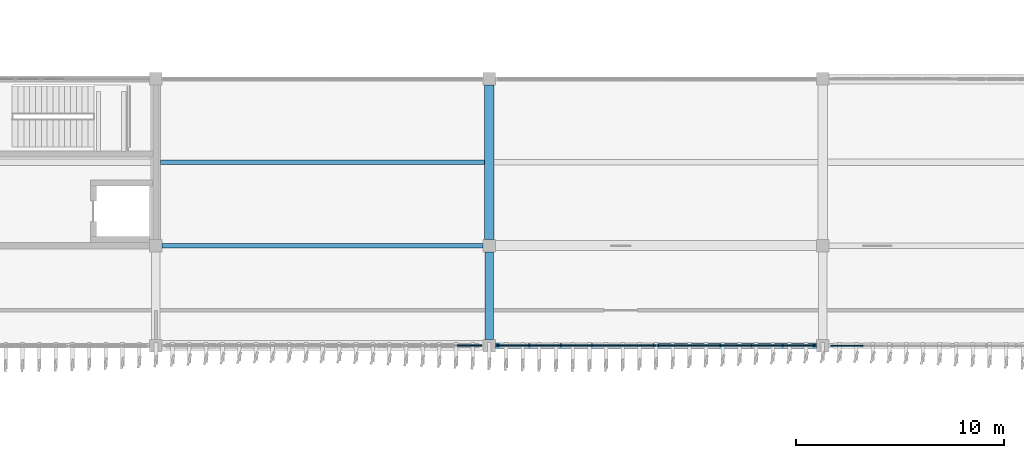
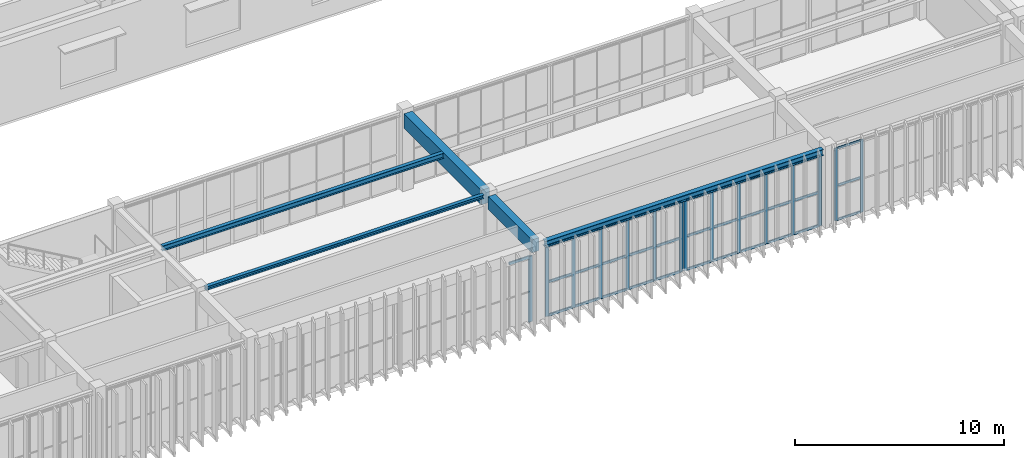
# One storey, part 16 of 64: 49 members, 5 beams, 4 elements without a shape of their own.
"""IFC4 building model written with IfcOpenShell, lengths in metres."""

from ifc_helpers import new_model, si_unit, direction, frame, origin, origin_2d, place, context, subcontext, project, spatial, rectangle, i_section, extrude, material, layer, layer_set, material_profile, profile_set, type_object, element, aggregate, save


model = new_model("IFC4")

# Units and contexts
model_context = context("Model", 3, precision=1e-05, world=origin(), true_north=direction((0.0, 1.0)))
body_context = subcontext(model_context, "Body", "Model", "MODEL_VIEW")
ifc_project = project(units=[si_unit("LENGTHUNIT", "METRE"), si_unit("AREAUNIT", "SQUARE_METRE"), si_unit("VOLUMEUNIT", "CUBIC_METRE"), si_unit("PLANEANGLEUNIT", "RADIAN"), si_unit("MASSUNIT", "GRAM", prefix="KILO")], contexts=[model_context])

# Site, building, storey
site_placement = place(None, origin())
site = spatial("IfcSite", under=ifc_project, at=site_placement, CompositionType="ELEMENT")
building_placement = place(site_placement, origin())
building = spatial("IfcBuilding", under=site, at=building_placement, Name="Cinchona Park Media Centre", CompositionType="ELEMENT")
storey_placement = place(building_placement, frame((0.0, 0.0, 5.39990234375)))
storey = spatial("IfcBuildingStorey", under=building, at=storey_placement, Name="L01", CompositionType="ELEMENT", Elevation=5.39990234375)

# Beams
ifc_material_1 = material(Name="Concrete C35/45", Category="concrete")
ifc_material_profile_1 = material_profile(ifc_material_1, rectangle(XDim=0.39990234375, YDim=0.75, at=origin_2d()), Name="RB 400X750")
ifc_profile_set_1 = profile_set([ifc_material_profile_1], Name="Concrete C35/45")
beam_type_1 = type_object("IfcBeamType", Name="BEAM-B01-RB400X750", PredefinedType="BEAM", material=ifc_profile_set_1)
beam_1_placement = place(storey_placement, frame((110.800048828125, 75.10009765625, 4.1650390625), z_axis=(0.0, 1.0, 0.0), x_axis=(-1.0, 0.0, 0.0)))
element("IfcBeam", 1, at=beam_1_placement, inside=storey, type_object=beam_type_1, Name="Girder B01 L01", PredefinedType="BEAM", context=body_context, shape_type="SweptSolid", body=[
    extrude(rectangle(XDim=0.39990234375, YDim=0.75, at=origin_2d()), origin(), (0.0, 0.0, 1.0), 4.199951171875),
])
ifc_material_2 = material(Name="Concrete C35/45", Category="concrete")
ifc_material_profile_2 = material_profile(ifc_material_2, rectangle(XDim=0.449951171875, YDim=0.85009765625, at=origin_2d()), Name="RB 450X850")
ifc_profile_set_2 = profile_set([ifc_material_profile_2], Name="Concrete C35/45")
beam_type_2 = type_object("IfcBeamType", Name="BEAM-B02-RB450X850", PredefinedType="BEAM", material=ifc_profile_set_2)
beam_2_placement = place(storey_placement, frame((110.800048828125, 79.89990234375, 4.114990234375), z_axis=(0.0, 1.0, 0.0), x_axis=(-1.0, 0.0, 0.0)))
element("IfcBeam", 2, at=beam_2_placement, inside=storey, type_object=beam_type_2, Name="Girder B02 L01", PredefinedType="BEAM", context=body_context, shape_type="SweptSolid", body=[
    extrude(rectangle(XDim=0.449951171875, YDim=0.85009765625, at=origin_2d()), origin(), (0.0, 0.0, 1.0), 7.400146484375),
])
ifc_material_3 = material(Name="Steel S355", Category="steel")
ifc_material_profile_3 = material_profile(ifc_material_3, i_section(OverallWidth=0.257080078125, OverallDepth=0.363037109375, WebThickness=0.012939453125, FlangeThickness=0.021728515625, at=origin_2d()), Name="W360X122")
ifc_profile_set_3 = profile_set([ifc_material_profile_3], Name="Steel S355")
beam_type_3 = type_object("IfcBeamType", Name="BEAM-B08-W360X122", PredefinedType="BEAM", material=ifc_profile_set_3)
beam_3_placement = place(storey_placement, frame((111.10009765625, 74.800048828125, 4.358642578125), z_axis=(1.0, 0.0, 0.0), x_axis=(0.0, 1.0, 0.0)))
element("IfcBeam", 3, at=beam_3_placement, inside=storey, type_object=beam_type_3, Name="Beam B08 L01", PredefinedType="BEAM", context=body_context, shape_type="SweptSolid", body=[
    extrude(i_section(OverallWidth=0.257080078125, OverallDepth=0.363037109375, WebThickness=0.012939453125, FlangeThickness=0.021728515625, at=origin_2d()), origin(), (0.0, 0.0, 1.0), 15.39990234375),
])
ifc_material_4 = material(Name="Steel S355", Category="steel")
ifc_material_profile_4 = material_profile(ifc_material_4, i_section(OverallWidth=0.202880859375, OverallDepth=0.202880859375, WebThickness=0.007080078125, FlangeThickness=0.010986328125, at=origin_2d()), Name="W200X46")
ifc_profile_set_4 = profile_set([ifc_material_profile_4], Name="Steel S355")
beam_type_4 = type_object("IfcBeamType", Name="BEAM-B10-W200X46", PredefinedType="BEAM", material=ifc_profile_set_4)
beam_4_placement = place(storey_placement, frame((95.10009765625, 79.60009765625, 4.4384765625), z_axis=(1.0, 0.0, 0.0), x_axis=(0.0, 1.0, 0.0)))
element("IfcBeam", 4, at=beam_4_placement, inside=storey, type_object=beam_type_4, Name="Beam B10 L01", PredefinedType="BEAM", context=body_context, shape_type="SweptSolid", body=[
    extrude(i_section(OverallWidth=0.202880859375, OverallDepth=0.202880859375, WebThickness=0.007080078125, FlangeThickness=0.010986328125, at=origin_2d()), origin(), (0.0, 0.0, 1.0), 15.39990234375),
])
ifc_material_5 = material(Name="Steel S355", Category="steel")
ifc_material_profile_5 = material_profile(ifc_material_5, i_section(OverallWidth=0.202880859375, OverallDepth=0.302978515625, WebThickness=0.007568359375, FlangeThickness=0.01318359375, at=origin_2d()), Name="W310X60")
ifc_profile_set_5 = profile_set([ifc_material_profile_5], Name="Steel S355")
beam_type_5 = type_object("IfcBeamType", Name="BEAM-J03-W310X60", PredefinedType="JOIST", material=ifc_profile_set_5)
beam_5_placement = place(storey_placement, frame((95.02490234375, 83.60009765625, 4.388671875), z_axis=(1.0, 0.0, 0.0), x_axis=(0.0, 1.0, 0.0)))
element("IfcBeam", 5, at=beam_5_placement, inside=storey, type_object=beam_type_5, Name="Floor Joist J03 L01", PredefinedType="JOIST", context=body_context, shape_type="SweptSolid", body=[
    extrude(i_section(OverallWidth=0.202880859375, OverallDepth=0.302978515625, WebThickness=0.007568359375, FlangeThickness=0.01318359375, at=origin_2d()), origin(), (0.0, 0.0, 1.0), 15.550048828125),
])

# Curtain wall, members
ifc_material_6 = material(Name="Aluminium Curtain Wall Framing", Category="aluminium")
ifc_layer_1 = layer(ifc_material_6, 0.284912109375)
ifc_layer_set_1 = layer_set([ifc_layer_1], Name="Aluminium Curtain Wall Framing")
curtain_wall_type_1 = type_object("IfcCurtainWallType", Name="CW-CW08", PredefinedType="USERDEFINED", material=ifc_layer_set_1)
curtain_wall_1_placement = place(storey_placement, origin())
curtain_wall_1 = element("IfcCurtainWall", 6, at=curtain_wall_1_placement, inside=storey, type_object=curtain_wall_type_1, Name="Curtain Wall CW08 L01", ObjectType="UNITISED CURTAIN WALL", PredefinedType="USERDEFINED")
ifc_material_7 = material(Name="Anodised Aluminium Alloy 6063-T6", Category="aluminium")
ifc_material_profile_6 = material_profile(ifc_material_7, rectangle(XDim=0.06494140625, YDim=0.159912109375, at=origin_2d()), Name="MUL-65X160")
ifc_profile_set_6 = profile_set([ifc_material_profile_6], Name="Anodised Aluminium Alloy 6063-T6")
member_type_1 = type_object("IfcMemberType", Name="MULLION-MUL01", PredefinedType="MULLION", material=ifc_profile_set_6)
member_1_placement = place(storey_placement, frame((128.669921875, 74.800048828125, 0.050048828125), z_axis=(0.0, 0.0, 1.0), x_axis=(0.0, -1.0, 0.0)))
member_1 = element("IfcMember", 7, at=member_1_placement, type_object=member_type_1, Name="CW08 mullion 4", PredefinedType="MULLION", context=body_context, shape_type="SweptSolid", body=[
    extrude(rectangle(XDim=0.06494140625, YDim=0.159912109375, at=origin_2d()), origin(), (0.0, 0.0, 1.0), 4.238037109375),
])
member_2_placement = place(storey_placement, frame((127.25244140625, 74.800048828125, 0.050048828125), z_axis=(0.0, 0.0, 1.0), x_axis=(0.0, -1.0, 0.0)))
member_2 = element("IfcMember", 8, at=member_2_placement, type_object=member_type_1, Name="CW08 mullion 5", PredefinedType="MULLION", context=body_context, shape_type="SweptSolid", body=[
    extrude(rectangle(XDim=0.06494140625, YDim=0.159912109375, at=origin_2d()), origin(), (0.0, 0.0, 1.0), 4.238037109375),
])

ifc_material_8 = material(Name="Aluminium Curtain Wall Framing", Category="aluminium")
ifc_layer_2 = layer(ifc_material_8, 0.239990234375)
ifc_layer_set_2 = layer_set([ifc_layer_2], Name="Aluminium Curtain Wall Framing")
curtain_wall_type_2 = type_object("IfcCurtainWallType", Name="CW-CW05", PredefinedType="USERDEFINED", material=ifc_layer_set_2)
curtain_wall_2_placement = place(storey_placement, origin())
curtain_wall_2 = element("IfcCurtainWall", 9, at=curtain_wall_2_placement, inside=storey, type_object=curtain_wall_type_2, Name="Curtain Wall CW05 L01", ObjectType="UNITISED CURTAIN WALL", PredefinedType="USERDEFINED")
ifc_material_9 = material(Name="Anodised Aluminium Alloy 6063-T6", Category="aluminium")
ifc_material_profile_7 = material_profile(ifc_material_9, rectangle(XDim=0.070068359375, YDim=0.179931640625, at=origin_2d()), Name="MUL-70X180")
ifc_profile_set_7 = profile_set([ifc_material_profile_7], Name="Anodised Aluminium Alloy 6063-T6")
member_type_2 = type_object("IfcMemberType", Name="MULLION-MUL02", PredefinedType="MULLION", material=ifc_profile_set_7)
member_3_placement = place(storey_placement, frame((126.344970703125, 74.800048828125, 0.050048828125), z_axis=(0.0, 0.0, 1.0), x_axis=(0.0, -1.0, 0.0)))
member_3 = element("IfcMember", 10, at=member_3_placement, type_object=member_type_2, Name="CW05 mullion 1", PredefinedType="MULLION", context=body_context, shape_type="SweptSolid", body=[
    extrude(rectangle(XDim=0.070068359375, YDim=0.179931640625, at=origin_2d()), origin(), (0.0, 0.0, 1.0), 4.126953125),
])
member_4_placement = place(storey_placement, frame((124.8798828125, 74.800048828125, 0.050048828125), z_axis=(0.0, 0.0, 1.0), x_axis=(0.0, -1.0, 0.0)))
member_4 = element("IfcMember", 11, at=member_4_placement, type_object=member_type_2, Name="CW05 mullion 2", PredefinedType="MULLION", context=body_context, shape_type="SweptSolid", body=[
    extrude(rectangle(XDim=0.070068359375, YDim=0.179931640625, at=origin_2d()), origin(), (0.0, 0.0, 1.0), 4.126953125),
])
member_5_placement = place(storey_placement, frame((123.3798828125, 74.800048828125, 0.050048828125), z_axis=(0.0, 0.0, 1.0), x_axis=(0.0, -1.0, 0.0)))
member_5 = element("IfcMember", 12, at=member_5_placement, type_object=member_type_2, Name="CW05 mullion 3", PredefinedType="MULLION", context=body_context, shape_type="SweptSolid", body=[
    extrude(rectangle(XDim=0.070068359375, YDim=0.179931640625, at=origin_2d()), origin(), (0.0, 0.0, 1.0), 4.126953125),
])
member_6_placement = place(storey_placement, frame((121.8798828125, 74.800048828125, 0.050048828125), z_axis=(0.0, 0.0, 1.0), x_axis=(0.0, -1.0, 0.0)))
member_6 = element("IfcMember", 13, at=member_6_placement, type_object=member_type_2, Name="CW05 mullion 4", PredefinedType="MULLION", context=body_context, shape_type="SweptSolid", body=[
    extrude(rectangle(XDim=0.070068359375, YDim=0.179931640625, at=origin_2d()), origin(), (0.0, 0.0, 1.0), 4.126953125),
])
member_7_placement = place(storey_placement, frame((120.3798828125, 74.800048828125, 0.050048828125), z_axis=(0.0, 0.0, 1.0), x_axis=(0.0, -1.0, 0.0)))
member_7 = element("IfcMember", 14, at=member_7_placement, type_object=member_type_2, Name="CW05 mullion 5", PredefinedType="MULLION", context=body_context, shape_type="SweptSolid", body=[
    extrude(rectangle(XDim=0.070068359375, YDim=0.179931640625, at=origin_2d()), origin(), (0.0, 0.0, 1.0), 4.126953125),
])
member_8_placement = place(storey_placement, frame((118.9150390625, 74.800048828125, 0.050048828125), z_axis=(0.0, 0.0, 1.0), x_axis=(0.0, -1.0, 0.0)))
member_8 = element("IfcMember", 15, at=member_8_placement, type_object=member_type_2, Name="CW05 mullion 6", PredefinedType="MULLION", context=body_context, shape_type="SweptSolid", body=[
    extrude(rectangle(XDim=0.070068359375, YDim=0.179931640625, at=origin_2d()), origin(), (0.0, 0.0, 1.0), 4.126953125),
])

ifc_material_10 = material(Name="Aluminium Curtain Wall Framing", Category="aluminium")
ifc_layer_3 = layer(ifc_material_10, 0.2548828125)
ifc_layer_set_3 = layer_set([ifc_layer_3], Name="Aluminium Curtain Wall Framing")
curtain_wall_type_3 = type_object("IfcCurtainWallType", Name="CW-CW06", PredefinedType="USERDEFINED", material=ifc_layer_set_3)
curtain_wall_3_placement = place(storey_placement, origin())
curtain_wall_3 = element("IfcCurtainWall", 16, at=curtain_wall_3_placement, inside=storey, type_object=curtain_wall_type_3, Name="Curtain Wall CW06 L01", ObjectType="UNITISED CURTAIN WALL", PredefinedType="USERDEFINED")
member_9_placement = place(storey_placement, frame((118.68505859375, 74.800048828125, 0.050048828125), z_axis=(0.0, 0.0, 1.0), x_axis=(0.0, -1.0, 0.0)))
member_9 = element("IfcMember", 17, at=member_9_placement, type_object=member_type_2, Name="CW06 mullion 1", PredefinedType="MULLION", context=body_context, shape_type="SweptSolid", body=[
    extrude(rectangle(XDim=0.070068359375, YDim=0.179931640625, at=origin_2d()), origin(), (0.0, 0.0, 1.0), 4.126953125),
])
member_10_placement = place(storey_placement, frame((117.219970703125, 74.800048828125, 0.050048828125), z_axis=(0.0, 0.0, 1.0), x_axis=(0.0, -1.0, 0.0)))
member_10 = element("IfcMember", 18, at=member_10_placement, type_object=member_type_2, Name="CW06 mullion 2", PredefinedType="MULLION", context=body_context, shape_type="SweptSolid", body=[
    extrude(rectangle(XDim=0.070068359375, YDim=0.179931640625, at=origin_2d()), origin(), (0.0, 0.0, 1.0), 4.126953125),
])
member_11_placement = place(storey_placement, frame((115.719970703125, 74.800048828125, 0.050048828125), z_axis=(0.0, 0.0, 1.0), x_axis=(0.0, -1.0, 0.0)))
member_11 = element("IfcMember", 19, at=member_11_placement, type_object=member_type_2, Name="CW06 mullion 3", PredefinedType="MULLION", context=body_context, shape_type="SweptSolid", body=[
    extrude(rectangle(XDim=0.070068359375, YDim=0.179931640625, at=origin_2d()), origin(), (0.0, 0.0, 1.0), 4.126953125),
])
member_12_placement = place(storey_placement, frame((114.219970703125, 74.800048828125, 0.050048828125), z_axis=(0.0, 0.0, 1.0), x_axis=(0.0, -1.0, 0.0)))
member_12 = element("IfcMember", 20, at=member_12_placement, type_object=member_type_2, Name="CW06 mullion 4", PredefinedType="MULLION", context=body_context, shape_type="SweptSolid", body=[
    extrude(rectangle(XDim=0.070068359375, YDim=0.179931640625, at=origin_2d()), origin(), (0.0, 0.0, 1.0), 4.126953125),
])
member_13_placement = place(storey_placement, frame((112.719970703125, 74.800048828125, 0.050048828125), z_axis=(0.0, 0.0, 1.0), x_axis=(0.0, -1.0, 0.0)))
member_13 = element("IfcMember", 21, at=member_13_placement, type_object=member_type_2, Name="CW06 mullion 5", PredefinedType="MULLION", context=body_context, shape_type="SweptSolid", body=[
    extrude(rectangle(XDim=0.070068359375, YDim=0.179931640625, at=origin_2d()), origin(), (0.0, 0.0, 1.0), 4.126953125),
])
member_14_placement = place(storey_placement, frame((111.2548828125, 74.800048828125, 0.050048828125), z_axis=(0.0, 0.0, 1.0), x_axis=(0.0, -1.0, 0.0)))
member_14 = element("IfcMember", 22, at=member_14_placement, type_object=member_type_2, Name="CW06 mullion 6", PredefinedType="MULLION", context=body_context, shape_type="SweptSolid", body=[
    extrude(rectangle(XDim=0.070068359375, YDim=0.179931640625, at=origin_2d()), origin(), (0.0, 0.0, 1.0), 4.126953125),
])

# Curtain wall, member
ifc_material_11 = material(Name="Aluminium Curtain Wall Framing", Category="aluminium")
ifc_layer_4 = layer(ifc_material_11, 0.2099609375)
ifc_layer_set_4 = layer_set([ifc_layer_4], Name="Aluminium Curtain Wall Framing")
curtain_wall_type_4 = type_object("IfcCurtainWallType", Name="CW-CW03", PredefinedType="USERDEFINED", material=ifc_layer_set_4)
curtain_wall_4_placement = place(storey_placement, origin())
curtain_wall_4 = element("IfcCurtainWall", 23, at=curtain_wall_4_placement, inside=storey, type_object=curtain_wall_type_4, Name="Curtain Wall CW03 L01", ObjectType="UNITISED CURTAIN WALL", PredefinedType="USERDEFINED")
ifc_material_12 = material(Name="Anodised Aluminium Alloy 6063-T6", Category="aluminium")
ifc_material_profile_8 = material_profile(ifc_material_12, rectangle(XDim=0.074951171875, YDim=0.2099609375, at=origin_2d()), Name="MUL-75X210")
ifc_profile_set_8 = profile_set([ifc_material_profile_8], Name="Anodised Aluminium Alloy 6063-T6")
member_type_3 = type_object("IfcMemberType", Name="MULLION-MUL03", PredefinedType="MULLION", material=ifc_profile_set_8)
member_15_placement = place(storey_placement, frame((110.342529296875, 74.800048828125, 0.050048828125), z_axis=(0.0, 0.0, 1.0), x_axis=(0.0, -1.0, 0.0)))
member_15 = element("IfcMember", 24, at=member_15_placement, type_object=member_type_3, Name="CW03 mullion 1", PredefinedType="MULLION", context=body_context, shape_type="SweptSolid", body=[
    extrude(rectangle(XDim=0.074951171875, YDim=0.2099609375, at=origin_2d()), origin(), (0.0, 0.0, 1.0), 3.840087890625),
])

# Member
ifc_material_13 = material(Name="Anodised Aluminium Alloy 6063-T6", Category="aluminium")
ifc_material_profile_9 = material_profile(ifc_material_13, rectangle(XDim=0.06494140625, YDim=0.1201171875, at=origin_2d()), Name="TRN-65X120")
ifc_profile_set_9 = profile_set([ifc_material_profile_9], Name="Anodised Aluminium Alloy 6063-T6")
member_type_4 = type_object("IfcMemberType", Name="TRANSOM-TRN01", PredefinedType="USERDEFINED", material=ifc_profile_set_9)
member_16_placement = place(storey_placement, frame((128.637451171875, 74.800048828125, 0.08251953125), z_axis=(-1.0, 0.0, 0.0), x_axis=(0.0, -1.0, 0.0)))
member_16 = element("IfcMember", 25, at=member_16_placement, type_object=member_type_4, Name="CW08 transom 4.1", ObjectType="TRANSOM", PredefinedType="USERDEFINED", context=body_context, shape_type="SweptSolid", body=[
    extrude(rectangle(XDim=0.06494140625, YDim=0.1201171875, at=origin_2d()), origin(), (0.0, 0.0, 1.0), 1.3525390625),
])

member_17_placement = place(storey_placement, frame((128.637451171875, 74.800048828125, 2.083984375), z_axis=(-1.0, 0.0, 0.0), x_axis=(0.0, -1.0, 0.0)))
member_17 = element("IfcMember", 26, at=member_17_placement, type_object=member_type_4, Name="CW08 transom 4.2", ObjectType="TRANSOM", PredefinedType="USERDEFINED", context=body_context, shape_type="SweptSolid", body=[
    extrude(rectangle(XDim=0.06494140625, YDim=0.1201171875, at=origin_2d()), origin(), (0.0, 0.0, 1.0), 1.3525390625),
])

member_18_placement = place(storey_placement, frame((128.637451171875, 74.800048828125, 4.255615234375), z_axis=(-1.0, 0.0, 0.0), x_axis=(0.0, -1.0, 0.0)))
member_18 = element("IfcMember", 27, at=member_18_placement, type_object=member_type_4, Name="CW08 transom 4.3", ObjectType="TRANSOM", PredefinedType="USERDEFINED", context=body_context, shape_type="SweptSolid", body=[
    extrude(rectangle(XDim=0.06494140625, YDim=0.1201171875, at=origin_2d()), origin(), (0.0, 0.0, 1.0), 1.3525390625),
])

aggregate(curtain_wall_1, [member_1, member_2, member_16, member_17, member_18])

ifc_material_14 = material(Name="Anodised Aluminium Alloy 6063-T6", Category="aluminium")
ifc_material_profile_10 = material_profile(ifc_material_14, rectangle(XDim=0.070068359375, YDim=0.139892578125, at=origin_2d()), Name="TRN-70X140")
ifc_profile_set_10 = profile_set([ifc_material_profile_10], Name="Anodised Aluminium Alloy 6063-T6")
member_type_5 = type_object("IfcMemberType", Name="TRANSOM-TRN02", PredefinedType="USERDEFINED", material=ifc_profile_set_10)
member_19_placement = place(storey_placement, frame((126.31005859375, 74.800048828125, 0.085205078125), z_axis=(-1.0, 0.0, 0.0), x_axis=(0.0, -1.0, 0.0)))
member_19 = element("IfcMember", 28, at=member_19_placement, type_object=member_type_5, Name="CW05 transom 1.1", ObjectType="TRANSOM", PredefinedType="USERDEFINED", context=body_context, shape_type="SweptSolid", body=[
    extrude(rectangle(XDim=0.070068359375, YDim=0.139892578125, at=origin_2d()), origin(), (0.0, 0.0, 1.0), 1.39501953125),
])

member_20_placement = place(storey_placement, frame((126.31005859375, 74.800048828125, 2.031005859375), z_axis=(-1.0, 0.0, 0.0), x_axis=(0.0, -1.0, 0.0)))
member_20 = element("IfcMember", 29, at=member_20_placement, type_object=member_type_5, Name="CW05 transom 1.2", ObjectType="TRANSOM", PredefinedType="USERDEFINED", context=body_context, shape_type="SweptSolid", body=[
    extrude(rectangle(XDim=0.070068359375, YDim=0.139892578125, at=origin_2d()), origin(), (0.0, 0.0, 1.0), 1.39501953125),
])

member_21_placement = place(storey_placement, frame((126.31005859375, 74.800048828125, 4.14208984375), z_axis=(-1.0, 0.0, 0.0), x_axis=(0.0, -1.0, 0.0)))
member_21 = element("IfcMember", 30, at=member_21_placement, type_object=member_type_5, Name="CW05 transom 1.3", ObjectType="TRANSOM", PredefinedType="USERDEFINED", context=body_context, shape_type="SweptSolid", body=[
    extrude(rectangle(XDim=0.070068359375, YDim=0.139892578125, at=origin_2d()), origin(), (0.0, 0.0, 1.0), 1.39501953125),
])

member_22_placement = place(storey_placement, frame((124.844970703125, 74.800048828125, 0.085205078125), z_axis=(-1.0, 0.0, 0.0), x_axis=(0.0, -1.0, 0.0)))
member_22 = element("IfcMember", 31, at=member_22_placement, type_object=member_type_5, Name="CW05 transom 2.1", ObjectType="TRANSOM", PredefinedType="USERDEFINED", context=body_context, shape_type="SweptSolid", body=[
    extrude(rectangle(XDim=0.070068359375, YDim=0.139892578125, at=origin_2d()), origin(), (0.0, 0.0, 1.0), 1.429931640625),
])

member_23_placement = place(storey_placement, frame((124.844970703125, 74.800048828125, 2.031005859375), z_axis=(-1.0, 0.0, 0.0), x_axis=(0.0, -1.0, 0.0)))
member_23 = element("IfcMember", 32, at=member_23_placement, type_object=member_type_5, Name="CW05 transom 2.2", ObjectType="TRANSOM", PredefinedType="USERDEFINED", context=body_context, shape_type="SweptSolid", body=[
    extrude(rectangle(XDim=0.070068359375, YDim=0.139892578125, at=origin_2d()), origin(), (0.0, 0.0, 1.0), 1.429931640625),
])

member_24_placement = place(storey_placement, frame((124.844970703125, 74.800048828125, 4.14208984375), z_axis=(-1.0, 0.0, 0.0), x_axis=(0.0, -1.0, 0.0)))
member_24 = element("IfcMember", 33, at=member_24_placement, type_object=member_type_5, Name="CW05 transom 2.3", ObjectType="TRANSOM", PredefinedType="USERDEFINED", context=body_context, shape_type="SweptSolid", body=[
    extrude(rectangle(XDim=0.070068359375, YDim=0.139892578125, at=origin_2d()), origin(), (0.0, 0.0, 1.0), 1.429931640625),
])

member_25_placement = place(storey_placement, frame((123.344970703125, 74.800048828125, 0.085205078125), z_axis=(-1.0, 0.0, 0.0), x_axis=(0.0, -1.0, 0.0)))
member_25 = element("IfcMember", 34, at=member_25_placement, type_object=member_type_5, Name="CW05 transom 3.1", ObjectType="TRANSOM", PredefinedType="USERDEFINED", context=body_context, shape_type="SweptSolid", body=[
    extrude(rectangle(XDim=0.070068359375, YDim=0.139892578125, at=origin_2d()), origin(), (0.0, 0.0, 1.0), 1.429931640625),
])

member_26_placement = place(storey_placement, frame((123.344970703125, 74.800048828125, 2.031005859375), z_axis=(-1.0, 0.0, 0.0), x_axis=(0.0, -1.0, 0.0)))
member_26 = element("IfcMember", 35, at=member_26_placement, type_object=member_type_5, Name="CW05 transom 3.2", ObjectType="TRANSOM", PredefinedType="USERDEFINED", context=body_context, shape_type="SweptSolid", body=[
    extrude(rectangle(XDim=0.070068359375, YDim=0.139892578125, at=origin_2d()), origin(), (0.0, 0.0, 1.0), 1.429931640625),
])

member_27_placement = place(storey_placement, frame((123.344970703125, 74.800048828125, 4.14208984375), z_axis=(-1.0, 0.0, 0.0), x_axis=(0.0, -1.0, 0.0)))
member_27 = element("IfcMember", 36, at=member_27_placement, type_object=member_type_5, Name="CW05 transom 3.3", ObjectType="TRANSOM", PredefinedType="USERDEFINED", context=body_context, shape_type="SweptSolid", body=[
    extrude(rectangle(XDim=0.070068359375, YDim=0.139892578125, at=origin_2d()), origin(), (0.0, 0.0, 1.0), 1.429931640625),
])

member_28_placement = place(storey_placement, frame((121.844970703125, 74.800048828125, 0.085205078125), z_axis=(-1.0, 0.0, 0.0), x_axis=(0.0, -1.0, 0.0)))
member_28 = element("IfcMember", 37, at=member_28_placement, type_object=member_type_5, Name="CW05 transom 4.1", ObjectType="TRANSOM", PredefinedType="USERDEFINED", context=body_context, shape_type="SweptSolid", body=[
    extrude(rectangle(XDim=0.070068359375, YDim=0.139892578125, at=origin_2d()), origin(), (0.0, 0.0, 1.0), 1.429931640625),
])

member_29_placement = place(storey_placement, frame((121.844970703125, 74.800048828125, 2.031005859375), z_axis=(-1.0, 0.0, 0.0), x_axis=(0.0, -1.0, 0.0)))
member_29 = element("IfcMember", 38, at=member_29_placement, type_object=member_type_5, Name="CW05 transom 4.2", ObjectType="TRANSOM", PredefinedType="USERDEFINED", context=body_context, shape_type="SweptSolid", body=[
    extrude(rectangle(XDim=0.070068359375, YDim=0.139892578125, at=origin_2d()), origin(), (0.0, 0.0, 1.0), 1.429931640625),
])

member_30_placement = place(storey_placement, frame((121.844970703125, 74.800048828125, 4.14208984375), z_axis=(-1.0, 0.0, 0.0), x_axis=(0.0, -1.0, 0.0)))
member_30 = element("IfcMember", 39, at=member_30_placement, type_object=member_type_5, Name="CW05 transom 4.3", ObjectType="TRANSOM", PredefinedType="USERDEFINED", context=body_context, shape_type="SweptSolid", body=[
    extrude(rectangle(XDim=0.070068359375, YDim=0.139892578125, at=origin_2d()), origin(), (0.0, 0.0, 1.0), 1.429931640625),
])

member_31_placement = place(storey_placement, frame((120.344970703125, 74.800048828125, 0.085205078125), z_axis=(-1.0, 0.0, 0.0), x_axis=(0.0, -1.0, 0.0)))
member_31 = element("IfcMember", 40, at=member_31_placement, type_object=member_type_5, Name="CW05 transom 5.1", ObjectType="TRANSOM", PredefinedType="USERDEFINED", context=body_context, shape_type="SweptSolid", body=[
    extrude(rectangle(XDim=0.070068359375, YDim=0.139892578125, at=origin_2d()), origin(), (0.0, 0.0, 1.0), 1.39501953125),
])

member_32_placement = place(storey_placement, frame((120.344970703125, 74.800048828125, 2.031005859375), z_axis=(-1.0, 0.0, 0.0), x_axis=(0.0, -1.0, 0.0)))
member_32 = element("IfcMember", 41, at=member_32_placement, type_object=member_type_5, Name="CW05 transom 5.2", ObjectType="TRANSOM", PredefinedType="USERDEFINED", context=body_context, shape_type="SweptSolid", body=[
    extrude(rectangle(XDim=0.070068359375, YDim=0.139892578125, at=origin_2d()), origin(), (0.0, 0.0, 1.0), 1.39501953125),
])

member_33_placement = place(storey_placement, frame((120.344970703125, 74.800048828125, 4.14208984375), z_axis=(-1.0, 0.0, 0.0), x_axis=(0.0, -1.0, 0.0)))
member_33 = element("IfcMember", 42, at=member_33_placement, type_object=member_type_5, Name="CW05 transom 5.3", ObjectType="TRANSOM", PredefinedType="USERDEFINED", context=body_context, shape_type="SweptSolid", body=[
    extrude(rectangle(XDim=0.070068359375, YDim=0.139892578125, at=origin_2d()), origin(), (0.0, 0.0, 1.0), 1.39501953125),
])

aggregate(curtain_wall_2, [member_3, member_4, member_5, member_6, member_7, member_8, member_19, member_20, member_21, member_22, member_23, member_24, member_25, member_26, member_27, member_28, member_29, member_30, member_31, member_32, member_33])

member_34_placement = place(storey_placement, frame((118.64990234375, 74.800048828125, 0.085205078125), z_axis=(-1.0, 0.0, 0.0), x_axis=(0.0, -1.0, 0.0)))
member_34 = element("IfcMember", 43, at=member_34_placement, type_object=member_type_5, Name="CW06 transom 1.1", ObjectType="TRANSOM", PredefinedType="USERDEFINED", context=body_context, shape_type="SweptSolid", body=[
    extrude(rectangle(XDim=0.070068359375, YDim=0.139892578125, at=origin_2d()), origin(), (0.0, 0.0, 1.0), 1.39501953125),
])

member_35_placement = place(storey_placement, frame((118.64990234375, 74.800048828125, 2.031005859375), z_axis=(-1.0, 0.0, 0.0), x_axis=(0.0, -1.0, 0.0)))
member_35 = element("IfcMember", 44, at=member_35_placement, type_object=member_type_5, Name="CW06 transom 1.2", ObjectType="TRANSOM", PredefinedType="USERDEFINED", context=body_context, shape_type="SweptSolid", body=[
    extrude(rectangle(XDim=0.070068359375, YDim=0.139892578125, at=origin_2d()), origin(), (0.0, 0.0, 1.0), 1.39501953125),
])

member_36_placement = place(storey_placement, frame((118.64990234375, 74.800048828125, 4.14208984375), z_axis=(-1.0, 0.0, 0.0), x_axis=(0.0, -1.0, 0.0)))
member_36 = element("IfcMember", 45, at=member_36_placement, type_object=member_type_5, Name="CW06 transom 1.3", ObjectType="TRANSOM", PredefinedType="USERDEFINED", context=body_context, shape_type="SweptSolid", body=[
    extrude(rectangle(XDim=0.070068359375, YDim=0.139892578125, at=origin_2d()), origin(), (0.0, 0.0, 1.0), 1.39501953125),
])

member_37_placement = place(storey_placement, frame((117.18505859375, 74.800048828125, 0.085205078125), z_axis=(-1.0, 0.0, 0.0), x_axis=(0.0, -1.0, 0.0)))
member_37 = element("IfcMember", 46, at=member_37_placement, type_object=member_type_5, Name="CW06 transom 2.1", ObjectType="TRANSOM", PredefinedType="USERDEFINED", context=body_context, shape_type="SweptSolid", body=[
    extrude(rectangle(XDim=0.070068359375, YDim=0.139892578125, at=origin_2d()), origin(), (0.0, 0.0, 1.0), 1.43017578125),
])

member_38_placement = place(storey_placement, frame((117.18505859375, 74.800048828125, 2.031005859375), z_axis=(-1.0, 0.0, 0.0), x_axis=(0.0, -1.0, 0.0)))
member_38 = element("IfcMember", 47, at=member_38_placement, type_object=member_type_5, Name="CW06 transom 2.2", ObjectType="TRANSOM", PredefinedType="USERDEFINED", context=body_context, shape_type="SweptSolid", body=[
    extrude(rectangle(XDim=0.070068359375, YDim=0.139892578125, at=origin_2d()), origin(), (0.0, 0.0, 1.0), 1.43017578125),
])

member_39_placement = place(storey_placement, frame((117.18505859375, 74.800048828125, 4.14208984375), z_axis=(-1.0, 0.0, 0.0), x_axis=(0.0, -1.0, 0.0)))
member_39 = element("IfcMember", 48, at=member_39_placement, type_object=member_type_5, Name="CW06 transom 2.3", ObjectType="TRANSOM", PredefinedType="USERDEFINED", context=body_context, shape_type="SweptSolid", body=[
    extrude(rectangle(XDim=0.070068359375, YDim=0.139892578125, at=origin_2d()), origin(), (0.0, 0.0, 1.0), 1.43017578125),
])

member_40_placement = place(storey_placement, frame((115.68505859375, 74.800048828125, 0.085205078125), z_axis=(-1.0, 0.0, 0.0), x_axis=(0.0, -1.0, 0.0)))
member_40 = element("IfcMember", 49, at=member_40_placement, type_object=member_type_5, Name="CW06 transom 3.1", ObjectType="TRANSOM", PredefinedType="USERDEFINED", context=body_context, shape_type="SweptSolid", body=[
    extrude(rectangle(XDim=0.070068359375, YDim=0.139892578125, at=origin_2d()), origin(), (0.0, 0.0, 1.0), 1.43017578125),
])

member_41_placement = place(storey_placement, frame((115.68505859375, 74.800048828125, 2.031005859375), z_axis=(-1.0, 0.0, 0.0), x_axis=(0.0, -1.0, 0.0)))
member_41 = element("IfcMember", 50, at=member_41_placement, type_object=member_type_5, Name="CW06 transom 3.2", ObjectType="TRANSOM", PredefinedType="USERDEFINED", context=body_context, shape_type="SweptSolid", body=[
    extrude(rectangle(XDim=0.070068359375, YDim=0.139892578125, at=origin_2d()), origin(), (0.0, 0.0, 1.0), 1.43017578125),
])

member_42_placement = place(storey_placement, frame((115.68505859375, 74.800048828125, 4.14208984375), z_axis=(-1.0, 0.0, 0.0), x_axis=(0.0, -1.0, 0.0)))
member_42 = element("IfcMember", 51, at=member_42_placement, type_object=member_type_5, Name="CW06 transom 3.3", ObjectType="TRANSOM", PredefinedType="USERDEFINED", context=body_context, shape_type="SweptSolid", body=[
    extrude(rectangle(XDim=0.070068359375, YDim=0.139892578125, at=origin_2d()), origin(), (0.0, 0.0, 1.0), 1.43017578125),
])

member_43_placement = place(storey_placement, frame((114.18505859375, 74.800048828125, 0.085205078125), z_axis=(-1.0, 0.0, 0.0), x_axis=(0.0, -1.0, 0.0)))
member_43 = element("IfcMember", 52, at=member_43_placement, type_object=member_type_5, Name="CW06 transom 4.1", ObjectType="TRANSOM", PredefinedType="USERDEFINED", context=body_context, shape_type="SweptSolid", body=[
    extrude(rectangle(XDim=0.070068359375, YDim=0.139892578125, at=origin_2d()), origin(), (0.0, 0.0, 1.0), 1.43017578125),
])

member_44_placement = place(storey_placement, frame((114.18505859375, 74.800048828125, 2.031005859375), z_axis=(-1.0, 0.0, 0.0), x_axis=(0.0, -1.0, 0.0)))
member_44 = element("IfcMember", 53, at=member_44_placement, type_object=member_type_5, Name="CW06 transom 4.2", ObjectType="TRANSOM", PredefinedType="USERDEFINED", context=body_context, shape_type="SweptSolid", body=[
    extrude(rectangle(XDim=0.070068359375, YDim=0.139892578125, at=origin_2d()), origin(), (0.0, 0.0, 1.0), 1.43017578125),
])

member_45_placement = place(storey_placement, frame((114.18505859375, 74.800048828125, 4.14208984375), z_axis=(-1.0, 0.0, 0.0), x_axis=(0.0, -1.0, 0.0)))
member_45 = element("IfcMember", 54, at=member_45_placement, type_object=member_type_5, Name="CW06 transom 4.3", ObjectType="TRANSOM", PredefinedType="USERDEFINED", context=body_context, shape_type="SweptSolid", body=[
    extrude(rectangle(XDim=0.070068359375, YDim=0.139892578125, at=origin_2d()), origin(), (0.0, 0.0, 1.0), 1.43017578125),
])

member_46_placement = place(storey_placement, frame((112.68505859375, 74.800048828125, 0.085205078125), z_axis=(-1.0, 0.0, 0.0), x_axis=(0.0, -1.0, 0.0)))
member_46 = element("IfcMember", 55, at=member_46_placement, type_object=member_type_5, Name="CW06 transom 5.1", ObjectType="TRANSOM", PredefinedType="USERDEFINED", context=body_context, shape_type="SweptSolid", body=[
    extrude(rectangle(XDim=0.070068359375, YDim=0.139892578125, at=origin_2d()), origin(), (0.0, 0.0, 1.0), 1.39501953125),
])

member_47_placement = place(storey_placement, frame((112.68505859375, 74.800048828125, 2.031005859375), z_axis=(-1.0, 0.0, 0.0), x_axis=(0.0, -1.0, 0.0)))
member_47 = element("IfcMember", 56, at=member_47_placement, type_object=member_type_5, Name="CW06 transom 5.2", ObjectType="TRANSOM", PredefinedType="USERDEFINED", context=body_context, shape_type="SweptSolid", body=[
    extrude(rectangle(XDim=0.070068359375, YDim=0.139892578125, at=origin_2d()), origin(), (0.0, 0.0, 1.0), 1.39501953125),
])

member_48_placement = place(storey_placement, frame((112.68505859375, 74.800048828125, 4.14208984375), z_axis=(-1.0, 0.0, 0.0), x_axis=(0.0, -1.0, 0.0)))
member_48 = element("IfcMember", 57, at=member_48_placement, type_object=member_type_5, Name="CW06 transom 5.3", ObjectType="TRANSOM", PredefinedType="USERDEFINED", context=body_context, shape_type="SweptSolid", body=[
    extrude(rectangle(XDim=0.070068359375, YDim=0.139892578125, at=origin_2d()), origin(), (0.0, 0.0, 1.0), 1.39501953125),
])

aggregate(curtain_wall_3, [member_9, member_10, member_11, member_12, member_13, member_14, member_34, member_35, member_36, member_37, member_38, member_39, member_40, member_41, member_42, member_43, member_44, member_45, member_46, member_47, member_48])

ifc_material_15 = material(Name="Anodised Aluminium Alloy 6063-T6", Category="aluminium")
ifc_material_profile_11 = material_profile(ifc_material_15, rectangle(XDim=0.074951171875, YDim=0.159912109375, at=origin_2d()), Name="TRN-75X160")
ifc_profile_set_11 = profile_set([ifc_material_profile_11], Name="Anodised Aluminium Alloy 6063-T6")
member_type_6 = type_object("IfcMemberType", Name="TRANSOM-TRN03", PredefinedType="USERDEFINED", material=ifc_profile_set_11)
member_49_placement = place(storey_placement, frame((110.304931640625, 74.800048828125, 3.8525390625), z_axis=(-1.0, 0.0, 0.0), x_axis=(0.0, -1.0, 0.0)))
member_49 = element("IfcMember", 58, at=member_49_placement, type_object=member_type_6, Name="CW03 transom 1.3", ObjectType="TRANSOM", PredefinedType="USERDEFINED", context=body_context, shape_type="SweptSolid", body=[
    extrude(rectangle(XDim=0.074951171875, YDim=0.159912109375, at=origin_2d()), origin(), (0.0, 0.0, 1.0), 1.137451171875),
])

aggregate(curtain_wall_4, [member_15, member_49])

save(model, "model.ifc")
